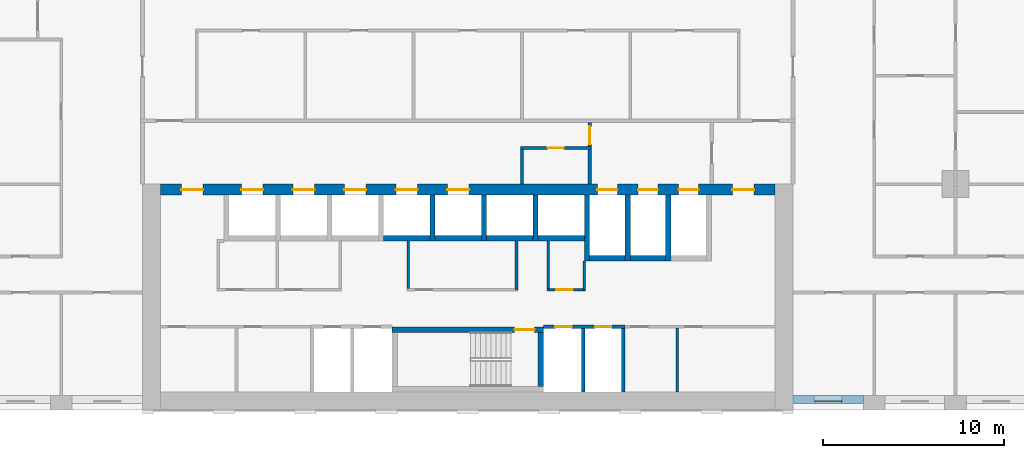
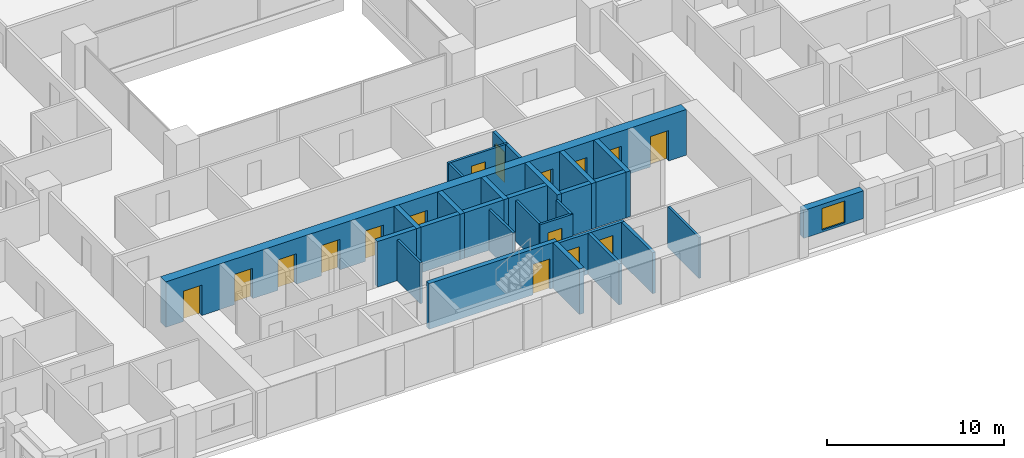
# One storey, part 11 of 19: 29 walls, 16 doors, 1 window, 17 openings.
"""IFC4 building model written with IfcOpenShell, lengths in metres."""

from ifc_helpers import new_model, si_unit, direction, frame, frame_2d, origin, place, context, subcontext, project, spatial, rectangle, extrude, material, layer, layer_set, type_object, element, fill, save


model = new_model("IFC4")

# Units and contexts
model_context = context("Model", 3, precision=1e-05, world=origin(), true_north=direction((0.0, 1.0)))
body_context = subcontext(model_context, "Body", "Model", "MODEL_VIEW")
ifc_project = project(units=[si_unit("LENGTHUNIT", "METRE"), si_unit("AREAUNIT", "SQUARE_METRE"), si_unit("VOLUMEUNIT", "CUBIC_METRE"), si_unit("PLANEANGLEUNIT", "RADIAN"), si_unit("MASSUNIT", "GRAM", prefix="KILO")], contexts=[model_context])

# Site, building, storey
site_placement = place(None, origin())
site = spatial("IfcSite", under=ifc_project, at=site_placement, CompositionType="ELEMENT")
building_placement = place(site_placement, origin())
building = spatial("IfcBuilding", under=site, at=building_placement, Name="Brigalow Station Residences", CompositionType="ELEMENT")
storey_placement = place(building_placement, frame((0.0, 0.0, 25.800048828125)))
storey = spatial("IfcBuildingStorey", under=building, at=storey_placement, Name="L06", CompositionType="ELEMENT", Elevation=25.800048828125)

# Wall, opening, window
ifc_material_1 = material(Name="Clay brick masonry", Category="masonry")
ifc_layer_1 = layer(ifc_material_1, 0.449951171875)
ifc_layer_set_1 = layer_set([ifc_layer_1], Name="BRICK INFILL WALL 450")
wall_type_1 = type_object("IfcWallType", Name="BRICK INFILL WALL 450", PredefinedType="SOLIDWALL", material=ifc_layer_set_1)
wall_1_placement = place(storey_placement, frame((54.0, 0.574951171875, 0.89990234375), z_axis=(0.0, 0.0, 1.0), x_axis=(1.0, 0.0, 0.0)))
wall_1 = element("IfcWall", 1, at=wall_1_placement, inside=storey, type_object=wall_type_1, Name="L06/ewall/W-L06-5", PredefinedType="SOLIDWALL", context=body_context, shape_type="SweptSolid", body=[
    extrude(rectangle(XDim=3.89990234375, YDim=0.449951171875, at=frame_2d((1.949951171875, 0.0))), origin(), (0.0, 0.0, 1.0), 1.929931640625),
])
opening_1_placement = place(wall_1_placement, frame((1.199951171875, 0.0, 0.14990234375)))
opening_1 = element("IfcOpeningElement", 2, at=opening_1_placement, cuts=wall_1, Name="Opening WT-1", PredefinedType="OPENING", context=body_context, shape_type="SweptSolid", body=[
    extrude(rectangle(XDim=1.5, YDim=1.5, at=frame_2d((0.75, 0.75))), frame((0.0, 0.23486328125, 0.0), z_axis=(0.0, -1.0, 0.0), x_axis=(1.0, 0.0, 0.0)), (0.0, 0.0, 1.0), 0.469970703125),
])
ifc_material_2 = material(Name="Anodised aluminium frame with double glazing", Category="aluminium")
window_type = type_object("IfcWindowType", Name="WINDOW 1500x1500", PartitioningType="SINGLE_PANEL", PredefinedType="WINDOW", material=ifc_material_2)
window_placement = place(opening_1_placement, origin())
window = element("IfcWindow", 3, at=window_placement, inside=storey, type_object=window_type, Name="L06/window/W-L06-5", OverallHeight=1.5, OverallWidth=1.5, PartitioningType="SINGLE_PANEL", PredefinedType="WINDOW", context=body_context, shape_type="SweptSolid", body=[
    extrude(rectangle(XDim=1.5, YDim=1.5, at=frame_2d((0.75, 0.75))), frame((0.0, -0.06494140625, 0.0), z_axis=(0.0, -1.0, 0.0), x_axis=(1.0, 0.0, 0.0)), (0.0, 0.0, 1.0), 0.06005859375),
])
fill(opening_1, window)

# Walls
ifc_material_3 = material(Name="Concrete C80", Category="concrete")
ifc_layer_2 = layer(ifc_material_3, 0.300048828125)
ifc_layer_set_2 = layer_set([ifc_layer_2], Name="CORE SHEAR WALL 300 C80")
wall_type_2 = type_object("IfcWallType", Name="CORE SHEAR WALL 300 C80", PredefinedType="SHEAR", material=ifc_layer_set_2)
wall_2_placement = place(storey_placement, frame((31.35009765625, 9.5, 0.0), z_axis=(0.0, 0.0, 1.0), x_axis=(1.0, 0.0, 0.0)))
element("IfcWall", 4, at=wall_2_placement, inside=storey, type_object=wall_type_2, Name="CORE WALL SH-P4-S L06", PredefinedType="SHEAR", context=body_context, shape_type="SweptSolid", body=[
    extrude(rectangle(XDim=2.5498046875, YDim=0.300048828125, at=frame_2d((1.27490234375, 0.0))), origin(), (0.0, 0.0, 1.0), 3.14990234375),
])
wall_3_placement = place(storey_placement, frame((34.199951171875, 9.5, 0.0), z_axis=(0.0, 0.0, 1.0), x_axis=(1.0, 0.0, 0.0)))
element("IfcWall", 5, at=wall_3_placement, inside=storey, type_object=wall_type_2, Name="CORE WALL SH-P5-S L06", PredefinedType="SHEAR", context=body_context, shape_type="SweptSolid", body=[
    extrude(rectangle(XDim=2.550048828125, YDim=0.300048828125, at=frame_2d((1.27490234375, 0.0))), origin(), (0.0, 0.0, 1.0), 3.14990234375),
])
wall_4_placement = place(storey_placement, frame((34.050048828125, 9.35009765625, 0.0), z_axis=(0.0, 0.0, 1.0), x_axis=(0.0, 1.0, 0.0)))
element("IfcWall", 6, at=wall_4_placement, inside=storey, type_object=wall_type_2, Name="CORE WALL SH-P5-W L06", PredefinedType="SHEAR", context=body_context, shape_type="SweptSolid", body=[
    extrude(rectangle(XDim=2.5498046875, YDim=0.300048828125, at=frame_2d((1.27490234375, 0.0))), origin(), (0.0, 0.0, 1.0), 3.14990234375),
])
wall_5_placement = place(storey_placement, frame((37.050048828125, 9.5, 0.0), z_axis=(0.0, 0.0, 1.0), x_axis=(1.0, 0.0, 0.0)))
element("IfcWall", 7, at=wall_5_placement, inside=storey, type_object=wall_type_2, Name="CORE WALL SH-X1-S L06", PredefinedType="SHEAR", context=body_context, shape_type="SweptSolid", body=[
    extrude(rectangle(XDim=2.550048828125, YDim=0.300048828125, at=frame_2d((1.27490234375, 0.0))), origin(), (0.0, 0.0, 1.0), 3.14990234375),
])
wall_6_placement = place(storey_placement, frame((36.89990234375, 9.35009765625, 0.0), z_axis=(0.0, 0.0, 1.0), x_axis=(0.0, 1.0, 0.0)))
element("IfcWall", 8, at=wall_6_placement, inside=storey, type_object=wall_type_2, Name="CORE WALL SH-X1-W L06", PredefinedType="SHEAR", context=body_context, shape_type="SweptSolid", body=[
    extrude(rectangle(XDim=2.5498046875, YDim=0.300048828125, at=frame_2d((1.27490234375, 0.0))), origin(), (0.0, 0.0, 1.0), 3.14990234375),
])
wall_7_placement = place(storey_placement, frame((39.89990234375, 9.5, 0.0), z_axis=(0.0, 0.0, 1.0), x_axis=(1.0, 0.0, 0.0)))
element("IfcWall", 9, at=wall_7_placement, inside=storey, type_object=wall_type_2, Name="CORE WALL SH-X2-S L06", PredefinedType="SHEAR", context=body_context, shape_type="SweptSolid", body=[
    extrude(rectangle(XDim=2.550048828125, YDim=0.300048828125, at=frame_2d((1.27490234375, 0.0))), origin(), (0.0, 0.0, 1.0), 3.14990234375),
])
wall_8_placement = place(storey_placement, frame((39.75, 9.35009765625, 0.0), z_axis=(0.0, 0.0, 1.0), x_axis=(0.0, 1.0, 0.0)))
element("IfcWall", 10, at=wall_8_placement, inside=storey, type_object=wall_type_2, Name="CORE WALL SH-X2-W L06", PredefinedType="SHEAR", context=body_context, shape_type="SweptSolid", body=[
    extrude(rectangle(XDim=2.5498046875, YDim=0.300048828125, at=frame_2d((1.27490234375, 0.0))), origin(), (0.0, 0.0, 1.0), 3.14990234375),
])
wall_9_placement = place(storey_placement, frame((42.75, 8.39990234375, 0.0), z_axis=(0.0, 0.0, 1.0), x_axis=(1.0, 0.0, 0.0)))
element("IfcWall", 11, at=wall_9_placement, inside=storey, type_object=wall_type_2, Name="CORE WALL SH-FF1-S L06", PredefinedType="SHEAR", context=body_context, shape_type="SweptSolid", body=[
    extrude(rectangle(XDim=1.949951171875, YDim=0.300048828125, at=frame_2d((0.97509765625, 0.0))), origin(), (0.0, 0.0, 1.0), 3.14990234375),
])
wall_10_placement = place(storey_placement, frame((42.60009765625, 8.25, 0.0), z_axis=(0.0, 0.0, 1.0), x_axis=(0.0, 1.0, 0.0)))
element("IfcWall", 12, at=wall_10_placement, inside=storey, type_object=wall_type_2, Name="CORE WALL SH-FF1-W L06", PredefinedType="SHEAR", context=body_context, shape_type="SweptSolid", body=[
    extrude(rectangle(XDim=3.64990234375, YDim=0.300048828125, at=frame_2d((1.824951171875, 0.0))), origin(), (0.0, 0.0, 1.0), 3.14990234375),
])
wall_11_placement = place(storey_placement, frame((45.0, 8.39990234375, 0.0), z_axis=(0.0, 0.0, 1.0), x_axis=(1.0, 0.0, 0.0)))
element("IfcWall", 13, at=wall_11_placement, inside=storey, type_object=wall_type_2, Name="CORE WALL SH-FF2-S L06", PredefinedType="SHEAR", context=body_context, shape_type="SweptSolid", body=[
    extrude(rectangle(XDim=1.949951171875, YDim=0.300048828125, at=frame_2d((0.97509765625, 0.0))), origin(), (0.0, 0.0, 1.0), 3.14990234375),
])
for number, where, z_axis, x_axis, name in (
    (14, (44.85009765625, 8.25, 0.0), (0.0, 0.0, 1.0), (0.0, 1.0, 0.0), "CORE WALL SH-FF2-W L06"),
    (15, (47.10009765625, 8.25, 0.0), (0.0, 0.0, 1.0), (0.0, 1.0, 0.0), "CORE WALL SH-SL1-W L06"),
):
    element("IfcWall", number, at=place(storey_placement, frame(where, z_axis=z_axis, x_axis=x_axis)), inside=storey, type_object=wall_type_2, Name=name, PredefinedType="SHEAR", context=body_context, shape_type="SweptSolid", body=[
        extrude(rectangle(XDim=3.64990234375, YDim=0.300048828125, at=frame_2d((1.824951171875, 0.0))), origin(), (0.0, 0.0, 1.0), 3.14990234375),
    ])

# Wall, opening, door
wall_12_placement = place(storey_placement, frame((31.800048828125, 4.449951171875, 0.0), z_axis=(0.0, 0.0, 1.0), x_axis=(1.0, 0.0, 0.0)))
wall_12 = element("IfcWall", 16, at=wall_12_placement, inside=storey, type_object=wall_type_2, Name="CORE WALL ST-S2-N L06", PredefinedType="SHEAR", context=body_context, shape_type="SweptSolid", body=[
    extrude(rectangle(XDim=8.39990234375, YDim=0.300048828125, at=frame_2d((4.199951171875, 0.0))), origin(), (0.0, 0.0, 1.0), 3.14990234375),
])
opening_2_placement = place(wall_12_placement, frame((6.800048828125, 0.0, 0.0)))
opening_2 = element("IfcOpeningElement", 17, at=opening_2_placement, cuts=wall_12, Name="Opening D-5001", PredefinedType="OPENING", context=body_context, shape_type="SweptSolid", body=[
    extrude(rectangle(XDim=1.10009765625, YDim=2.10009765625, at=frame_2d((0.550048828125, 1.050048828125))), frame((0.0, 0.16015625, 0.0), z_axis=(0.0, -1.0, 0.0), x_axis=(1.0, 0.0, 0.0)), (0.0, 0.0, 1.0), 0.320068359375),
])
ifc_material_4 = material(Name="Steel fire door leaf in steel frame", Category="steel")
door_type_1 = type_object("IfcDoorType", Name="STAIR DOOR 1100 x 2100 FD60S", OperationType="SINGLE_SWING_LEFT", PredefinedType="DOOR", material=ifc_material_4)
door_1_placement = place(opening_2_placement, frame((1.10009765625, 0.0, 0.0), z_axis=(0.0, 0.0, 1.0), x_axis=(-1.0, 0.0, 0.0)))
door_1 = element("IfcDoor", 18, at=door_1_placement, inside=storey, type_object=door_type_1, Name="D-5001", OperationType="SINGLE_SWING_LEFT", OverallHeight=2.10009765625, OverallWidth=1.10009765625, PredefinedType="DOOR", context=body_context, shape_type="SweptSolid", body=[
    extrude(rectangle(XDim=1.10009765625, YDim=2.10009765625, at=frame_2d((0.550048828125, 1.050048828125))), frame((0.0, 0.02490234375, 0.0), z_axis=(0.0, -1.0, 0.0), x_axis=(1.0, 0.0, 0.0)), (0.0, 0.0, 1.0), 0.050048828125),
])
fill(opening_2, door_1)

# Wall
wall_13_placement = place(storey_placement, frame((40.050048828125, 1.300048828125, 0.0), z_axis=(0.0, 0.0, 1.0), x_axis=(0.0, 1.0, 0.0)))
element("IfcWall", 19, at=wall_13_placement, inside=storey, type_object=wall_type_2, Name="CORE WALL ST-S2-E L06", PredefinedType="SHEAR", context=body_context, shape_type="SweptSolid", body=[
    extrude(rectangle(XDim=3.0, YDim=0.300048828125, at=frame_2d((1.5, 0.0))), origin(), (0.0, 0.0, 1.0), 3.14990234375),
])

# Wall, openings, doors
ifc_material_5 = material(Name="Concrete C80", Category="concrete")
ifc_layer_3 = layer(ifc_material_5, 0.60009765625)
ifc_layer_set_3 = layer_set([ifc_layer_3], Name="CORE SHEAR WALL 600 C80")
wall_type_3 = type_object("IfcWallType", Name="CORE SHEAR WALL 600 C80", PredefinedType="SHEAR", material=ifc_layer_set_3)
wall_14_placement = place(storey_placement, frame((19.0, 12.199951171875, 0.0), z_axis=(0.0, 0.0, 1.0), x_axis=(1.0, 0.0, 0.0)))
wall_14 = element("IfcWall", 20, at=wall_14_placement, inside=storey, type_object=wall_type_3, Name="CORE WALL OUT-N L06", PredefinedType="SHEAR", context=body_context, shape_type="SweptSolid", body=[
    extrude(rectangle(XDim=34.0, YDim=0.60009765625, at=frame_2d((17.0, 0.0))), origin(), (0.0, 0.0, 1.0), 3.14990234375),
])
opening_3_placement = place(wall_14_placement, frame((4.47509765625, 0.0, 0.0)))
opening_3 = element("IfcOpeningElement", 21, at=opening_3_placement, cuts=wall_14, Name="Opening LD-LA1", PredefinedType="OPENING", context=body_context, shape_type="SweptSolid", body=[
    extrude(rectangle(XDim=1.199951171875, YDim=2.10009765625, at=frame_2d((0.60009765625, 1.050048828125))), frame((0.0, 0.31005859375, 0.0), z_axis=(0.0, -1.0, 0.0), x_axis=(1.0, 0.0, 0.0)), (0.0, 0.0, 1.0), 0.6201171875),
])
opening_4_placement = place(wall_14_placement, frame((7.324951171875, 0.0, 0.0)))
opening_4 = element("IfcOpeningElement", 22, at=opening_4_placement, cuts=wall_14, Name="Opening LD-LA2", PredefinedType="OPENING", context=body_context, shape_type="SweptSolid", body=[
    extrude(rectangle(XDim=1.199951171875, YDim=2.10009765625, at=frame_2d((0.60009765625, 1.050048828125))), frame((0.0, 0.31005859375, 0.0), z_axis=(0.0, -1.0, 0.0), x_axis=(1.0, 0.0, 0.0)), (0.0, 0.0, 1.0), 0.6201171875),
])
opening_5_placement = place(wall_14_placement, frame((10.175048828125, 0.0, 0.0)))
opening_5 = element("IfcOpeningElement", 23, at=opening_5_placement, cuts=wall_14, Name="Opening LD-LA3", PredefinedType="OPENING", context=body_context, shape_type="SweptSolid", body=[
    extrude(rectangle(XDim=1.199951171875, YDim=2.10009765625, at=frame_2d((0.60009765625, 1.050048828125))), frame((0.0, 0.31005859375, 0.0), z_axis=(0.0, -1.0, 0.0), x_axis=(1.0, 0.0, 0.0)), (0.0, 0.0, 1.0), 0.6201171875),
])
opening_6_placement = place(wall_14_placement, frame((13.02490234375, 0.0, 0.0)))
opening_6 = element("IfcOpeningElement", 24, at=opening_6_placement, cuts=wall_14, Name="Opening LD-LA4", PredefinedType="OPENING", context=body_context, shape_type="SweptSolid", body=[
    extrude(rectangle(XDim=1.199951171875, YDim=2.10009765625, at=frame_2d((0.60009765625, 1.050048828125))), frame((0.0, 0.31005859375, 0.0), z_axis=(0.0, -1.0, 0.0), x_axis=(1.0, 0.0, 0.0)), (0.0, 0.0, 1.0), 0.6201171875),
])
opening_7_placement = place(wall_14_placement, frame((15.875, 0.0, 0.0)))
opening_7 = element("IfcOpeningElement", 25, at=opening_7_placement, cuts=wall_14, Name="Opening LD-LA5", PredefinedType="OPENING", context=body_context, shape_type="SweptSolid", body=[
    extrude(rectangle(XDim=1.199951171875, YDim=2.10009765625, at=frame_2d((0.60009765625, 1.050048828125))), frame((0.0, 0.31005859375, 0.0), z_axis=(0.0, -1.0, 0.0), x_axis=(1.0, 0.0, 0.0)), (0.0, 0.0, 1.0), 0.6201171875),
])
opening_8_placement = place(wall_14_placement, frame((24.175048828125, 0.0, 0.0)))
opening_8 = element("IfcOpeningElement", 26, at=opening_8_placement, cuts=wall_14, Name="Opening LD-LF1", PredefinedType="OPENING", context=body_context, shape_type="SweptSolid", body=[
    extrude(rectangle(XDim=1.10009765625, YDim=2.10009765625, at=frame_2d((0.550048828125, 1.050048828125))), frame((0.0, 0.31005859375, 0.0), z_axis=(0.0, -1.0, 0.0), x_axis=(1.0, 0.0, 0.0)), (0.0, 0.0, 1.0), 0.6201171875),
])
opening_9_placement = place(wall_14_placement, frame((26.425048828125, 0.0, 0.0)))
opening_9 = element("IfcOpeningElement", 27, at=opening_9_placement, cuts=wall_14, Name="Opening LD-LF2", PredefinedType="OPENING", context=body_context, shape_type="SweptSolid", body=[
    extrude(rectangle(XDim=1.10009765625, YDim=2.10009765625, at=frame_2d((0.550048828125, 1.050048828125))), frame((0.0, 0.31005859375, 0.0), z_axis=(0.0, -1.0, 0.0), x_axis=(1.0, 0.0, 0.0)), (0.0, 0.0, 1.0), 0.6201171875),
])
opening_10_placement = place(wall_14_placement, frame((28.675048828125, 0.0, 0.0)))
opening_10 = element("IfcOpeningElement", 28, at=opening_10_placement, cuts=wall_14, Name="Opening LD-LG1", PredefinedType="OPENING", context=body_context, shape_type="SweptSolid", body=[
    extrude(rectangle(XDim=1.10009765625, YDim=2.10009765625, at=frame_2d((0.550048828125, 1.050048828125))), frame((0.0, 0.31005859375, 0.0), z_axis=(0.0, -1.0, 0.0), x_axis=(1.0, 0.0, 0.0)), (0.0, 0.0, 1.0), 0.6201171875),
])
opening_11_placement = place(wall_14_placement, frame((1.14990234375, 0.0, 0.0)))
opening_11 = element("IfcOpeningElement", 29, at=opening_11_placement, cuts=wall_14, Name="Opening D-5011", PredefinedType="OPENING", context=body_context, shape_type="SweptSolid", body=[
    extrude(rectangle(XDim=1.199951171875, YDim=2.10009765625, at=frame_2d((0.60009765625, 1.050048828125))), frame((0.0, 0.31005859375, 0.0), z_axis=(0.0, -1.0, 0.0), x_axis=(1.0, 0.0, 0.0)), (0.0, 0.0, 1.0), 0.6201171875),
])
opening_12_placement = place(wall_14_placement, frame((31.64990234375, 0.0, 0.0)))
opening_12 = element("IfcOpeningElement", 30, at=opening_12_placement, cuts=wall_14, Name="Opening D-5012", PredefinedType="OPENING", context=body_context, shape_type="SweptSolid", body=[
    extrude(rectangle(XDim=1.199951171875, YDim=2.10009765625, at=frame_2d((0.60009765625, 1.050048828125))), frame((0.0, 0.31005859375, 0.0), z_axis=(0.0, -1.0, 0.0), x_axis=(1.0, 0.0, 0.0)), (0.0, 0.0, 1.0), 0.6201171875),
])
ifc_material_6 = material(Name="Steel fire door leaf in steel frame", Category="steel")
door_type_2 = type_object("IfcDoorType", Name="CORE CORRIDOR DOOR 1200 x 2100 FD60S", OperationType="SINGLE_SWING_LEFT", PredefinedType="DOOR", material=ifc_material_6)
door_2_placement = place(opening_11_placement, frame((1.199951171875, 0.0, 0.0), z_axis=(0.0, 0.0, 1.0), x_axis=(-1.0, 0.0, 0.0)))
door_2 = element("IfcDoor", 31, at=door_2_placement, inside=storey, type_object=door_type_2, Name="D-5011", OperationType="SINGLE_SWING_LEFT", OverallHeight=2.10009765625, OverallWidth=1.199951171875, PredefinedType="DOOR", context=body_context, shape_type="SweptSolid", body=[
    extrude(rectangle(XDim=1.199951171875, YDim=2.10009765625, at=frame_2d((0.60009765625, 1.050048828125))), frame((0.0, 0.02490234375, 0.0), z_axis=(0.0, -1.0, 0.0), x_axis=(1.0, 0.0, 0.0)), (0.0, 0.0, 1.0), 0.050048828125),
])
fill(opening_11, door_2)
door_3_placement = place(opening_12_placement, frame((1.199951171875, 0.0, 0.0), z_axis=(0.0, 0.0, 1.0), x_axis=(-1.0, 0.0, 0.0)))
door_3 = element("IfcDoor", 32, at=door_3_placement, inside=storey, type_object=door_type_2, Name="D-5012", OperationType="SINGLE_SWING_RIGHT", OverallHeight=2.10009765625, OverallWidth=1.199951171875, PredefinedType="DOOR", context=body_context, shape_type="SweptSolid", body=[
    extrude(rectangle(XDim=1.199951171875, YDim=2.10009765625, at=frame_2d((0.60009765625, 1.050048828125))), frame((0.0, 0.02490234375, 0.0), z_axis=(0.0, -1.0, 0.0), x_axis=(1.0, 0.0, 0.0)), (0.0, 0.0, 1.0), 0.050048828125),
])
fill(opening_12, door_3)
ifc_material_7 = material(Name="Stainless steel sliding door leaves", Category="steel")
door_type_3 = type_object("IfcDoorType", Name="LIFT LANDING DOOR 1100 x 2100", OperationType="DOUBLE_DOOR_SLIDING", PredefinedType="DOOR", material=ifc_material_7)
door_4_placement = place(opening_8_placement, origin())
door_4 = element("IfcDoor", 33, at=door_4_placement, inside=storey, type_object=door_type_3, Name="LANDING DOOR LF1", OperationType="DOUBLE_DOOR_SLIDING", OverallHeight=2.10009765625, OverallWidth=1.10009765625, PredefinedType="DOOR", context=body_context, shape_type="SweptSolid", body=[
    extrude(rectangle(XDim=1.10009765625, YDim=2.10009765625, at=frame_2d((0.550048828125, 1.050048828125))), frame((0.0, 0.02490234375, 0.0), z_axis=(0.0, -1.0, 0.0), x_axis=(1.0, 0.0, 0.0)), (0.0, 0.0, 1.0), 0.050048828125),
])
fill(opening_8, door_4)
door_5_placement = place(opening_9_placement, origin())
door_5 = element("IfcDoor", 34, at=door_5_placement, inside=storey, type_object=door_type_3, Name="LANDING DOOR LF2", OperationType="DOUBLE_DOOR_SLIDING", OverallHeight=2.10009765625, OverallWidth=1.10009765625, PredefinedType="DOOR", context=body_context, shape_type="SweptSolid", body=[
    extrude(rectangle(XDim=1.10009765625, YDim=2.10009765625, at=frame_2d((0.550048828125, 1.050048828125))), frame((0.0, 0.02490234375, 0.0), z_axis=(0.0, -1.0, 0.0), x_axis=(1.0, 0.0, 0.0)), (0.0, 0.0, 1.0), 0.050048828125),
])
fill(opening_9, door_5)
door_6_placement = place(opening_10_placement, origin())
door_6 = element("IfcDoor", 35, at=door_6_placement, inside=storey, type_object=door_type_3, Name="LANDING DOOR LG1", OperationType="DOUBLE_DOOR_SLIDING", OverallHeight=2.10009765625, OverallWidth=1.10009765625, PredefinedType="DOOR", context=body_context, shape_type="SweptSolid", body=[
    extrude(rectangle(XDim=1.10009765625, YDim=2.10009765625, at=frame_2d((0.550048828125, 1.050048828125))), frame((0.0, 0.02490234375, 0.0), z_axis=(0.0, -1.0, 0.0), x_axis=(1.0, 0.0, 0.0)), (0.0, 0.0, 1.0), 0.050048828125),
])
fill(opening_10, door_6)
ifc_material_8 = material(Name="Stainless steel sliding door leaves", Category="steel")
door_type_4 = type_object("IfcDoorType", Name="LIFT LANDING DOOR 1200 x 2100", OperationType="DOUBLE_DOOR_SLIDING", PredefinedType="DOOR", material=ifc_material_8)
door_7_placement = place(opening_3_placement, origin())
door_7 = element("IfcDoor", 36, at=door_7_placement, inside=storey, type_object=door_type_4, Name="LANDING DOOR LA1", OperationType="DOUBLE_DOOR_SLIDING", OverallHeight=2.10009765625, OverallWidth=1.199951171875, PredefinedType="DOOR", context=body_context, shape_type="SweptSolid", body=[
    extrude(rectangle(XDim=1.199951171875, YDim=2.10009765625, at=frame_2d((0.60009765625, 1.050048828125))), frame((0.0, 0.02490234375, 0.0), z_axis=(0.0, -1.0, 0.0), x_axis=(1.0, 0.0, 0.0)), (0.0, 0.0, 1.0), 0.050048828125),
])
fill(opening_3, door_7)
door_8_placement = place(opening_4_placement, origin())
door_8 = element("IfcDoor", 37, at=door_8_placement, inside=storey, type_object=door_type_4, Name="LANDING DOOR LA2", OperationType="DOUBLE_DOOR_SLIDING", OverallHeight=2.10009765625, OverallWidth=1.199951171875, PredefinedType="DOOR", context=body_context, shape_type="SweptSolid", body=[
    extrude(rectangle(XDim=1.199951171875, YDim=2.10009765625, at=frame_2d((0.60009765625, 1.050048828125))), frame((0.0, 0.02490234375, 0.0), z_axis=(0.0, -1.0, 0.0), x_axis=(1.0, 0.0, 0.0)), (0.0, 0.0, 1.0), 0.050048828125),
])
fill(opening_4, door_8)
door_9_placement = place(opening_5_placement, origin())
door_9 = element("IfcDoor", 38, at=door_9_placement, inside=storey, type_object=door_type_4, Name="LANDING DOOR LA3", OperationType="DOUBLE_DOOR_SLIDING", OverallHeight=2.10009765625, OverallWidth=1.199951171875, PredefinedType="DOOR", context=body_context, shape_type="SweptSolid", body=[
    extrude(rectangle(XDim=1.199951171875, YDim=2.10009765625, at=frame_2d((0.60009765625, 1.050048828125))), frame((0.0, 0.02490234375, 0.0), z_axis=(0.0, -1.0, 0.0), x_axis=(1.0, 0.0, 0.0)), (0.0, 0.0, 1.0), 0.050048828125),
])
fill(opening_5, door_9)
door_10_placement = place(opening_6_placement, origin())
door_10 = element("IfcDoor", 39, at=door_10_placement, inside=storey, type_object=door_type_4, Name="LANDING DOOR LA4", OperationType="DOUBLE_DOOR_SLIDING", OverallHeight=2.10009765625, OverallWidth=1.199951171875, PredefinedType="DOOR", context=body_context, shape_type="SweptSolid", body=[
    extrude(rectangle(XDim=1.199951171875, YDim=2.10009765625, at=frame_2d((0.60009765625, 1.050048828125))), frame((0.0, 0.02490234375, 0.0), z_axis=(0.0, -1.0, 0.0), x_axis=(1.0, 0.0, 0.0)), (0.0, 0.0, 1.0), 0.050048828125),
])
fill(opening_6, door_10)
door_11_placement = place(opening_7_placement, origin())
door_11 = element("IfcDoor", 40, at=door_11_placement, inside=storey, type_object=door_type_4, Name="LANDING DOOR LA5", OperationType="DOUBLE_DOOR_SLIDING", OverallHeight=2.10009765625, OverallWidth=1.199951171875, PredefinedType="DOOR", context=body_context, shape_type="SweptSolid", body=[
    extrude(rectangle(XDim=1.199951171875, YDim=2.10009765625, at=frame_2d((0.60009765625, 1.050048828125))), frame((0.0, 0.02490234375, 0.0), z_axis=(0.0, -1.0, 0.0), x_axis=(1.0, 0.0, 0.0)), (0.0, 0.0, 1.0), 0.050048828125),
])
fill(opening_7, door_11)

ifc_material_9 = material(Name="Concrete blockwork", Category="masonry")
ifc_layer_4 = layer(ifc_material_9, 0.199951171875)
ifc_layer_set_4 = layer_set([ifc_layer_4], Name="FIRE RATED CORE PARTITION 200")
wall_type_4 = type_object("IfcWallType", Name="FIRE RATED CORE PARTITION 200", PredefinedType="PARTITIONING", material=ifc_layer_set_4)
wall_15_placement = place(storey_placement, frame((40.199951171875, 4.60009765625, 0.0), z_axis=(0.0, 0.0, 1.0), x_axis=(1.0, 0.0, 0.0)))
wall_15 = element("IfcWall", 41, at=wall_15_placement, inside=storey, type_object=wall_type_4, Name="PW-5018", PredefinedType="PARTITIONING", context=body_context, shape_type="SweptSolid", body=[
    extrude(rectangle(XDim=4.5, YDim=0.199951171875, at=frame_2d((2.25, 0.0))), origin(), (0.0, 0.0, 1.0), 2.829833984375),
])
opening_13_placement = place(wall_15_placement, frame((0.64990234375, 0.0, 0.0)))
opening_13 = element("IfcOpeningElement", 42, at=opening_13_placement, cuts=wall_15, Name="Opening D-5009", PredefinedType="OPENING", context=body_context, shape_type="SweptSolid", body=[
    extrude(rectangle(XDim=0.89990234375, YDim=2.10009765625, at=frame_2d((0.449951171875, 1.050048828125))), frame((0.0, 0.10986328125, 0.0), z_axis=(0.0, -1.0, 0.0), x_axis=(1.0, 0.0, 0.0)), (0.0, 0.0, 1.0), 0.219970703125),
])
opening_14_placement = place(wall_15_placement, frame((2.85009765625, 0.0, 0.0)))
opening_14 = element("IfcOpeningElement", 43, at=opening_14_placement, cuts=wall_15, Name="Opening D-5010", PredefinedType="OPENING", context=body_context, shape_type="SweptSolid", body=[
    extrude(rectangle(XDim=0.89990234375, YDim=2.10009765625, at=frame_2d((0.449951171875, 1.050048828125))), frame((0.0, 0.10986328125, 0.0), z_axis=(0.0, -1.0, 0.0), x_axis=(1.0, 0.0, 0.0)), (0.0, 0.0, 1.0), 0.219970703125),
])
ifc_material_10 = material(Name="Steel fire door leaf in steel frame", Category="steel")
door_type_5 = type_object("IfcDoorType", Name="RISER ACCESS DOOR 900 x 2100 FD120", OperationType="SINGLE_SWING_LEFT", PredefinedType="DOOR", material=ifc_material_10)
door_12_placement = place(opening_13_placement, frame((0.89990234375, 0.0, 0.0), z_axis=(0.0, 0.0, 1.0), x_axis=(-1.0, 0.0, 0.0)))
door_12 = element("IfcDoor", 44, at=door_12_placement, inside=storey, type_object=door_type_5, Name="D-5009", OperationType="SINGLE_SWING_LEFT", OverallHeight=2.10009765625, OverallWidth=0.89990234375, PredefinedType="DOOR", context=body_context, shape_type="SweptSolid", body=[
    extrude(rectangle(XDim=0.89990234375, YDim=2.10009765625, at=frame_2d((0.449951171875, 1.050048828125))), frame((0.0, 0.02490234375, 0.0), z_axis=(0.0, -1.0, 0.0), x_axis=(1.0, 0.0, 0.0)), (0.0, 0.0, 1.0), 0.050048828125),
])
fill(opening_13, door_12)
door_13_placement = place(opening_14_placement, frame((0.89990234375, 0.0, 0.0), z_axis=(0.0, 0.0, 1.0), x_axis=(-1.0, 0.0, 0.0)))
door_13 = element("IfcDoor", 45, at=door_13_placement, inside=storey, type_object=door_type_5, Name="D-5010", OperationType="SINGLE_SWING_LEFT", OverallHeight=2.10009765625, OverallWidth=0.89990234375, PredefinedType="DOOR", context=body_context, shape_type="SweptSolid", body=[
    extrude(rectangle(XDim=0.89990234375, YDim=2.10009765625, at=frame_2d((0.449951171875, 1.050048828125))), frame((0.0, 0.02490234375, 0.0), z_axis=(0.0, -1.0, 0.0), x_axis=(1.0, 0.0, 0.0)), (0.0, 0.0, 1.0), 0.050048828125),
])
fill(opening_14, door_13)

# Walls
for number, where, z_axis, x_axis, name in (
    (46, (42.39990234375, 1.0, 0.0), (0.0, 0.0, 1.0), (0.0, 1.0, 0.0), "PW-5007"),
    (47, (44.60009765625, 1.0, 0.0), (0.0, 0.0, 1.0), (0.0, 1.0, 0.0), "PW-5008"),
):
    element("IfcWall", number, at=place(storey_placement, frame(where, z_axis=z_axis, x_axis=x_axis)), inside=storey, type_object=wall_type_4, Name=name, PredefinedType="PARTITIONING", context=body_context, shape_type="SweptSolid", body=[
        extrude(rectangle(XDim=3.5, YDim=0.199951171875, at=frame_2d((1.75, 0.0))), origin(), (0.0, 0.0, 1.0), 2.829833984375),
    ])
wall_16_placement = place(storey_placement, frame((42.75, 12.5, 0.0), z_axis=(0.0, 0.0, 1.0), x_axis=(0.0, 1.0, 0.0)))
element("IfcWall", 48, at=wall_16_placement, inside=storey, type_object=wall_type_4, Name="PW-5046", PredefinedType="PARTITIONING", context=body_context, shape_type="SweptSolid", body=[
    extrude(rectangle(XDim=1.925048828125, YDim=0.199951171875, at=frame_2d((0.96240234375, 0.0))), origin(), (0.0, 0.0, 1.0), 2.829833984375),
])

# Wall, opening, door
wall_17_placement = place(storey_placement, frame((42.75, 14.574951171875, 0.0), z_axis=(0.0, 0.0, 1.0), x_axis=(0.0, 1.0, 0.0)))
wall_17 = element("IfcWall", 49, at=wall_17_placement, inside=storey, type_object=wall_type_4, Name="PW-5047", PredefinedType="PARTITIONING", context=body_context, shape_type="SweptSolid", body=[
    extrude(rectangle(XDim=1.324951171875, YDim=0.199951171875, at=frame_2d((0.66259765625, 0.0))), origin(), (0.0, 0.0, 1.0), 2.829833984375),
])
opening_15_placement = place(wall_17_placement, frame((0.125, 0.0, 0.0)))
opening_15 = element("IfcOpeningElement", 50, at=opening_15_placement, cuts=wall_17, Name="Opening D-5013", PredefinedType="OPENING", context=body_context, shape_type="SweptSolid", body=[
    extrude(rectangle(XDim=1.0, YDim=2.10009765625, at=frame_2d((0.5, 1.050048828125))), frame((0.0, 0.10986328125, 0.0), z_axis=(0.0, -1.0, 0.0), x_axis=(1.0, 0.0, 0.0)), (0.0, 0.0, 1.0), 0.219970703125),
])
ifc_material_11 = material(Name="Steel fire door leaf in steel frame", Category="steel")
door_type_6 = type_object("IfcDoorType", Name="LOBBY DOOR 1000 x 2100 FD60S", OperationType="SINGLE_SWING_LEFT", PredefinedType="DOOR", material=ifc_material_11)
door_14_placement = place(opening_15_placement, origin())
door_14 = element("IfcDoor", 51, at=door_14_placement, inside=storey, type_object=door_type_6, Name="D-5013", OperationType="SINGLE_SWING_LEFT", OverallHeight=2.10009765625, OverallWidth=1.0, PredefinedType="DOOR", context=body_context, shape_type="SweptSolid", body=[
    extrude(rectangle(XDim=1.0, YDim=2.10009765625, at=frame_2d((0.5, 1.050048828125))), frame((0.0, 0.02490234375, 0.0), z_axis=(0.0, -1.0, 0.0), x_axis=(1.0, 0.0, 0.0)), (0.0, 0.0, 1.0), 0.050048828125),
])
fill(opening_15, door_14)

ifc_material_12 = material(Name="Plasterboard on steel studs", Category="steel")
ifc_layer_5 = layer(ifc_material_12, 0.14990234375)
ifc_layer_set_5 = layer_set([ifc_layer_5], Name="SERVICE ROOM PARTITION 150")
wall_type_5 = type_object("IfcWallType", Name="SERVICE ROOM PARTITION 150", PredefinedType="PARTITIONING", material=ifc_layer_set_5)
wall_18_placement = place(storey_placement, frame((40.375, 6.64990234375, 0.0), z_axis=(0.0, 0.0, 1.0), x_axis=(1.0, 0.0, 0.0)))
wall_18 = element("IfcWall", 52, at=wall_18_placement, inside=storey, type_object=wall_type_5, Name="PW-5128", PredefinedType="PARTITIONING", context=body_context, shape_type="SweptSolid", body=[
    extrude(rectangle(XDim=2.14990234375, YDim=0.14990234375, at=frame_2d((1.074951171875, 0.0))), origin(), (0.0, 0.0, 1.0), 2.829833984375),
])
opening_16_placement = place(wall_18_placement, frame((0.52490234375, 0.0, 0.0)))
opening_16 = element("IfcOpeningElement", 53, at=opening_16_placement, cuts=wall_18, Name="Opening D-5034", PredefinedType="OPENING", context=body_context, shape_type="SweptSolid", body=[
    extrude(rectangle(XDim=0.89990234375, YDim=2.10009765625, at=frame_2d((0.449951171875, 1.050048828125))), frame((0.0, 0.0849609375, 0.0), z_axis=(0.0, -1.0, 0.0), x_axis=(1.0, 0.0, 0.0)), (0.0, 0.0, 1.0), 0.169921875),
])
ifc_material_13 = material(Name="Steel door leaf in steel frame", Category="steel")
door_type_7 = type_object("IfcDoorType", Name="SERVICE ROOM DOOR 900 x 2100 FD60", OperationType="SINGLE_SWING_LEFT", PredefinedType="DOOR", material=ifc_material_13)
door_15_placement = place(opening_16_placement, origin())
door_15 = element("IfcDoor", 54, at=door_15_placement, inside=storey, type_object=door_type_7, Name="D-5034", OperationType="SINGLE_SWING_LEFT", OverallHeight=2.10009765625, OverallWidth=0.89990234375, PredefinedType="DOOR", context=body_context, shape_type="SweptSolid", body=[
    extrude(rectangle(XDim=0.89990234375, YDim=2.10009765625, at=frame_2d((0.449951171875, 1.050048828125))), frame((0.0, 0.02490234375, 0.0), z_axis=(0.0, -1.0, 0.0), x_axis=(1.0, 0.0, 0.0)), (0.0, 0.0, 1.0), 0.050048828125),
])
fill(opening_16, door_15)

wall_19_placement = place(storey_placement, frame((38.925048828125, 14.5, 0.0), z_axis=(0.0, 0.0, 1.0), x_axis=(1.0, 0.0, 0.0)))
wall_19 = element("IfcWall", 55, at=wall_19_placement, inside=storey, type_object=wall_type_5, Name="PW-5129", PredefinedType="PARTITIONING", context=body_context, shape_type="SweptSolid", body=[
    extrude(rectangle(XDim=3.925048828125, YDim=0.14990234375, at=frame_2d((1.96240234375, 0.0))), origin(), (0.0, 0.0, 1.0), 2.829833984375),
])
opening_17_placement = place(wall_19_placement, frame((1.5, 0.0, 0.0)))
opening_17 = element("IfcOpeningElement", 56, at=opening_17_placement, cuts=wall_19, Name="Opening D-5076", PredefinedType="OPENING", context=body_context, shape_type="SweptSolid", body=[
    extrude(rectangle(XDim=0.89990234375, YDim=2.10009765625, at=frame_2d((0.449951171875, 1.050048828125))), frame((0.0, 0.0849609375, 0.0), z_axis=(0.0, -1.0, 0.0), x_axis=(1.0, 0.0, 0.0)), (0.0, 0.0, 1.0), 0.169921875),
])
door_16_placement = place(opening_17_placement, frame((0.89990234375, 0.0, 0.0), z_axis=(0.0, 0.0, 1.0), x_axis=(-1.0, 0.0, 0.0)))
door_16 = element("IfcDoor", 57, at=door_16_placement, inside=storey, type_object=door_type_7, Name="D-5076", OperationType="SINGLE_SWING_LEFT", OverallHeight=2.10009765625, OverallWidth=0.89990234375, PredefinedType="DOOR", context=body_context, shape_type="SweptSolid", body=[
    extrude(rectangle(XDim=0.89990234375, YDim=2.10009765625, at=frame_2d((0.449951171875, 1.050048828125))), frame((0.0, 0.02490234375, 0.0), z_axis=(0.0, -1.0, 0.0), x_axis=(1.0, 0.0, 0.0)), (0.0, 0.0, 1.0), 0.050048828125),
])
fill(opening_17, door_16)

# Walls
wall_20_placement = place(storey_placement, frame((47.60009765625, 1.0, 0.0), z_axis=(0.0, 0.0, 1.0), x_axis=(0.0, 1.0, 0.0)))
element("IfcWall", 58, at=wall_20_placement, inside=storey, type_object=wall_type_5, Name="PW-5131", PredefinedType="PARTITIONING", context=body_context, shape_type="SweptSolid", body=[
    extrude(rectangle(XDim=3.52490234375, YDim=0.14990234375, at=frame_2d((1.762451171875, 0.0))), origin(), (0.0, 0.0, 1.0), 2.829833984375),
])
wall_21_placement = place(storey_placement, frame((38.699951171875, 6.64990234375, 0.0), z_axis=(0.0, 0.0, 1.0), x_axis=(0.0, 1.0, 0.0)))
element("IfcWall", 59, at=wall_21_placement, inside=storey, type_object=wall_type_5, Name="PW-5132", PredefinedType="PARTITIONING", context=body_context, shape_type="SweptSolid", body=[
    extrude(rectangle(XDim=2.7001953125, YDim=0.14990234375, at=frame_2d((1.35009765625, 0.0))), origin(), (0.0, 0.0, 1.0), 2.829833984375),
])
wall_22_placement = place(storey_placement, frame((42.449951171875, 6.64990234375, 0.0), z_axis=(0.0, 0.0, 1.0), x_axis=(0.0, 1.0, 0.0)))
element("IfcWall", 60, at=wall_22_placement, inside=storey, type_object=wall_type_5, Name="PW-5029", PredefinedType="PARTITIONING", context=body_context, shape_type="SweptSolid", body=[
    extrude(rectangle(XDim=1.60009765625, YDim=0.14990234375, at=frame_2d((0.800048828125, 0.0))), origin(), (0.0, 0.0, 1.0), 2.829833984375),
])
for number, where, z_axis, x_axis, name in (
    (61, (32.699951171875, 6.72509765625, 0.0), (0.0, 0.0, 1.0), (0.0, 1.0, 0.0), "PW-5135"),
    (62, (40.449951171875, 6.72509765625, 0.0), (0.0, 0.0, 1.0), (0.0, 1.0, 0.0), "PW-5044"),
):
    element("IfcWall", number, at=place(storey_placement, frame(where, z_axis=z_axis, x_axis=x_axis)), inside=storey, type_object=wall_type_5, Name=name, PredefinedType="PARTITIONING", context=body_context, shape_type="SweptSolid", body=[
        extrude(rectangle(XDim=2.625, YDim=0.14990234375, at=frame_2d((1.3125, 0.0))), origin(), (0.0, 0.0, 1.0), 2.829833984375),
    ])
wall_23_placement = place(storey_placement, frame((39.0, 12.5, 0.0), z_axis=(0.0, 0.0, 1.0), x_axis=(0.0, 1.0, 0.0)))
element("IfcWall", 63, at=wall_23_placement, inside=storey, type_object=wall_type_5, Name="PW-5136", PredefinedType="PARTITIONING", context=body_context, shape_type="SweptSolid", body=[
    extrude(rectangle(XDim=1.925048828125, YDim=0.14990234375, at=frame_2d((0.96240234375, 0.0))), origin(), (0.0, 0.0, 1.0), 2.829833984375),
])

save(model, "model.ifc")
